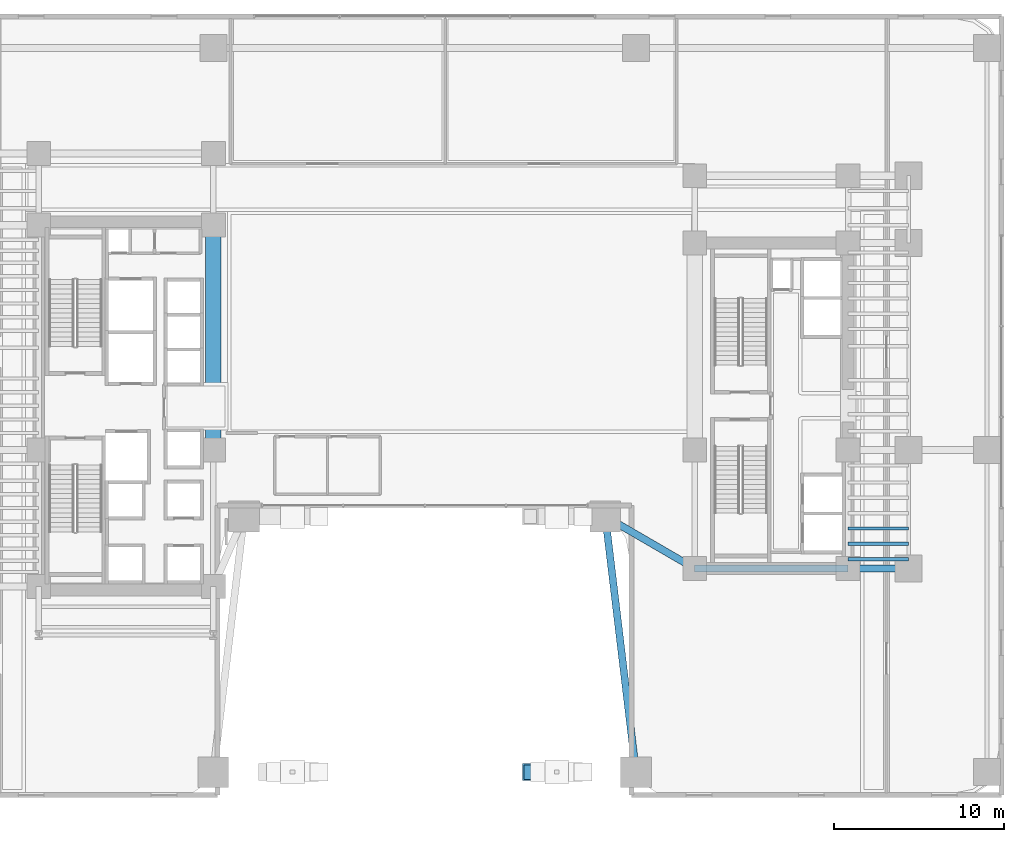
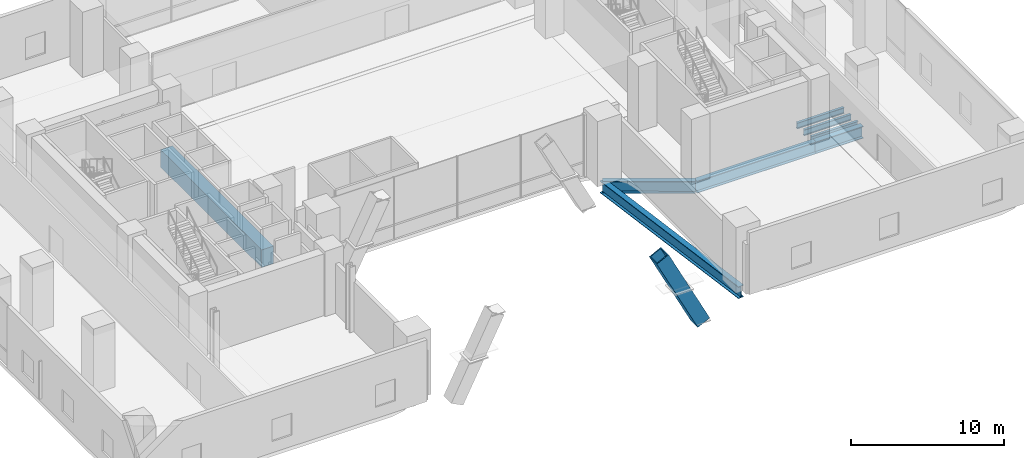
# One storey, part 7 of 39: 8 beams, 1 member.
"""IFC4 building model written with IfcOpenShell, lengths in metres."""

from ifc_helpers import new_model, si_unit, direction, frame, origin, origin_2d, place, context, subcontext, project, spatial, rectangle, hollow_rectangle, i_section, extrude, source, transform, mapped, material, material_profile, profile_set, type_object, element, save


model = new_model("IFC4")

# Units and contexts
model_context = context("Model", 3, precision=1e-05, world=origin(), true_north=direction((0.0, 1.0)))
body_context = subcontext(model_context, "Body", "Model", "MODEL_VIEW")
ifc_project = project(units=[si_unit("LENGTHUNIT", "METRE"), si_unit("AREAUNIT", "SQUARE_METRE"), si_unit("VOLUMEUNIT", "CUBIC_METRE"), si_unit("PLANEANGLEUNIT", "RADIAN"), si_unit("MASSUNIT", "GRAM", prefix="KILO")], contexts=[model_context])

# Site, building, storey
site_placement = place(None, origin())
site = spatial("IfcSite", under=ifc_project, at=site_placement, CompositionType="ELEMENT")
building_placement = place(site_placement, origin())
building = spatial("IfcBuilding", under=site, at=building_placement, Name="Valdorenza Pilgrim Sanctuary Tower", CompositionType="ELEMENT")
storey_placement = place(building_placement, frame((0.0, 0.0, 10.39990234375)))
storey = spatial("IfcBuildingStorey", under=building, at=storey_placement, Name="L02", CompositionType="ELEMENT", Elevation=10.39990234375)

# Beams
ifc_material_1 = material(Name="Concrete C60/75", Category="concrete")
ifc_material_profile_1 = material_profile(ifc_material_1, rectangle(XDim=0.89990234375, YDim=1.39990234375, at=origin_2d()), Name="RC 1400x900")
ifc_profile_set_1 = profile_set([ifc_material_profile_1], Name="Concrete C60/75")
beam_type_1 = type_object("IfcBeamType", Name="STR-BM-LNT-1400", PredefinedType="LINTEL", material=ifc_profile_set_1)
shared_shape_1 = source(origin(), body_context, "Body", "SweptSolid", [
    extrude(rectangle(XDim=0.89990234375, YDim=1.39990234375, at=origin_2d()), origin(), (0.0, 0.0, 1.0), 13.2001953125),
])
beam_1_placement = place(storey_placement, frame((-12.39990234375, -2.60009765625, -0.739990234375), z_axis=(0.0, 1.0, 0.0), x_axis=(-1.0, 0.0, 0.0)))
element("IfcBeam", 1, at=beam_1_placement, inside=storey, type_object=beam_type_1, Name="L02 Core A Coupling Lintel Girder", PredefinedType="LINTEL", context=body_context, shape_type="MappedRepresentation", body=[
    mapped(shared_shape_1, transform((0.0, 0.0, 0.0), x_axis=(1.0, 0.0, 0.0), y_axis=(0.0, 1.0, 0.0), z_axis=(0.0, 0.0, 1.0), scale=1.0)),
])
ifc_material_2 = material(Name="Steel ASTM A992 Grade 50", Category="steel")
ifc_material_profile_2 = material_profile(ifc_material_2, i_section(OverallWidth=0.423095703125, OverallDepth=0.947998046875, WebThickness=0.02392578125, FlangeThickness=0.042724609375, at=origin_2d()), Name="W36X302")
ifc_profile_set_2 = profile_set([ifc_material_profile_2], Name="Steel ASTM A992 Grade 50")
beam_type_2 = type_object("IfcBeamType", Name="STR-BM-GRD-W36A", PredefinedType="BEAM", material=ifc_profile_set_2)
shared_shape_2 = source(origin(), body_context, "Body", "SweptSolid", [
    extrude(i_section(OverallWidth=0.423095703125, OverallDepth=0.947998046875, WebThickness=0.02392578125, FlangeThickness=0.042724609375, at=origin_2d()), origin(), (0.0, 0.0, 1.0), 9.0),
])
beam_2_placement = place(storey_placement, frame((15.85009765625, -9.550048828125, -0.75390625), z_axis=(1.0, 0.0, 0.0), x_axis=(0.0, 1.0, 0.0)))
element("IfcBeam", 2, at=beam_2_placement, inside=storey, type_object=beam_type_2, Name="L02 Floor Girder CB-XC-S1", PredefinedType="BEAM", context=body_context, shape_type="MappedRepresentation", body=[
    mapped(shared_shape_2, transform((0.0, 0.0, 0.0), x_axis=(1.0, 0.0, 0.0), y_axis=(0.0, 1.0, 0.0), z_axis=(0.0, 0.0, 1.0), scale=1.0)),
])
shared_shape_3 = source(origin(), body_context, "Body", "SweptSolid", [
    extrude(i_section(OverallWidth=0.423095703125, OverallDepth=0.947998046875, WebThickness=0.02392578125, FlangeThickness=0.042724609375, at=origin_2d()), origin(), (0.0, 0.0, 1.0), 3.5498046875),
])
beam_3_placement = place(storey_placement, frame((24.85009765625, -9.550048828125, -0.75390625), z_axis=(1.0, 0.0, 0.0), x_axis=(0.0, 1.0, 0.0)))
element("IfcBeam", 3, at=beam_3_placement, inside=storey, type_object=beam_type_2, Name="L02 Floor Girder WB-XE-S1", PredefinedType="BEAM", context=body_context, shape_type="MappedRepresentation", body=[
    mapped(shared_shape_3, transform((0.0, 0.0, 0.0), x_axis=(1.0, 0.0, 0.0), y_axis=(0.0, 1.0, 0.0), z_axis=(0.0, 0.0, 1.0), scale=1.0)),
])
ifc_material_profile_3 = material_profile(ifc_material_2, i_section(OverallWidth=0.193115234375, OverallDepth=0.466064453125, WebThickness=0.011474609375, FlangeThickness=0.01904296875, at=origin_2d()), Name="W18X65")
ifc_profile_set_3 = profile_set([ifc_material_profile_3], Name="Steel ASTM A992 Grade 50")
beam_type_3 = type_object("IfcBeamType", Name="STR-BM-JST-W18A", PredefinedType="JOIST", material=ifc_profile_set_3)
shared_shape_4 = source(origin(), body_context, "Body", "SweptSolid", [
    extrude(i_section(OverallWidth=0.193115234375, OverallDepth=0.466064453125, WebThickness=0.011474609375, FlangeThickness=0.01904296875, at=origin_2d()), origin(), (0.0, 0.0, 1.0), 3.5498046875),
])
for number, where, z_axis, x_axis, name in (
    (4, (24.85009765625, -9.0, -0.512939453125), (1.0, 0.0, 0.0), (0.0, 1.0, 0.0), "L02 Composite Floor Joist JST-WB-1"),
    (5, (24.85009765625, -8.10009765625, -0.512939453125), (1.0, 0.0, 0.0), (0.0, 1.0, 0.0), "L02 Composite Floor Joist JST-WB-2"),
    (6, (24.85009765625, -7.199951171875, -0.512939453125), (1.0, 0.0, 0.0), (0.0, 1.0, 0.0), "L02 Composite Floor Joist JST-WB-3"),
):
    element("IfcBeam", number, at=place(storey_placement, frame(where, z_axis=z_axis, x_axis=x_axis)), inside=storey, type_object=beam_type_3, Name=name, PredefinedType="JOIST", context=body_context, shape_type="MappedRepresentation", body=[
        mapped(shared_shape_4, transform((0.0, 0.0, 0.0), x_axis=(1.0, 0.0, 0.0), y_axis=(0.0, 1.0, 0.0), z_axis=(0.0, 0.0, 1.0), scale=1.0)),
    ])
shared_shape_5 = source(origin(), body_context, "Body", "SweptSolid", [
    extrude(i_section(OverallWidth=0.423095703125, OverallDepth=0.947998046875, WebThickness=0.02392578125, FlangeThickness=0.042724609375, at=origin_2d()), origin(), (0.0, 0.0, 1.0), 15.107666015625),
])
beam_4_placement = place(storey_placement, frame((12.39990234375, -21.5, -0.75390625), z_axis=(-0.119132476027, 0.992878367755, 0.0), x_axis=(-0.992878367755, -0.119132476027, 0.0)))
element("IfcBeam", 7, at=beam_4_placement, inside=storey, type_object=beam_type_2, Name="L02 Floor Girder POD-ARCH-E", PredefinedType="BEAM", context=body_context, shape_type="MappedRepresentation", body=[
    mapped(shared_shape_5, transform((0.0, 0.0, 0.0), x_axis=(1.0, 0.0, 0.0), y_axis=(0.0, 1.0, 0.0), z_axis=(0.0, 0.0, 1.0), scale=1.0)),
])
shared_shape_6 = source(origin(), body_context, "Body", "SweptSolid", [
    extrude(i_section(OverallWidth=0.423095703125, OverallDepth=0.947998046875, WebThickness=0.02392578125, FlangeThickness=0.042724609375, at=origin_2d()), origin(), (0.0, 0.0, 1.0), 6.07177734375),
])
beam_5_placement = place(storey_placement, frame((10.60009765625, -6.5, -0.75390625), z_axis=(0.864670076815, -0.50234018181, 0.0), x_axis=(0.50234018181, 0.864670076815, 0.0)))
element("IfcBeam", 8, at=beam_5_placement, inside=storey, type_object=beam_type_2, Name="L02 Floor Girder POD-ARCH-NE", PredefinedType="BEAM", context=body_context, shape_type="MappedRepresentation", body=[
    mapped(shared_shape_6, transform((0.0, 0.0, 0.0), x_axis=(1.0, 0.0, 0.0), y_axis=(0.0, 1.0, 0.0), z_axis=(0.0, 0.0, 1.0), scale=1.0)),
])

# Member
ifc_material_3 = material(Name="Steel ASTM A572 Grade 42", Category="steel")
ifc_material_profile_4 = material_profile(ifc_material_3, hollow_rectangle(XDim=1.0, YDim=1.0, WallThickness=0.080078125, at=origin_2d()), Name="BOX 1000x1000x80")
ifc_profile_set_4 = profile_set([ifc_material_profile_4], Name="Steel ASTM A572 Grade 42")
member_type = type_object("IfcMemberType", Name="STR-MB-ARCH-RIB", PredefinedType="CHORD", material=ifc_profile_set_4)
shared_shape_7 = source(origin(), body_context, "Body", "SweptSolid", [
    extrude(hollow_rectangle(XDim=1.0, YDim=1.0, WallThickness=0.080078125, at=origin_2d()), origin(), (0.0, 0.0, 1.0), 6.86474609375),
])
member_placement = place(storey_placement, frame((6.199951171875, -21.5, 4.300048828125), z_axis=(0.451589695297, 0.0, -0.892225726541), x_axis=(0.0, 1.0, 0.0)))
element("IfcMember", 9, at=member_placement, inside=storey, type_object=member_type, Name="Parabolic Portal Arch Rib SOUTH Seg 7", PredefinedType="CHORD", context=body_context, shape_type="MappedRepresentation", body=[
    mapped(shared_shape_7, transform((0.0, 0.0, 0.0), x_axis=(1.0, 0.0, 0.0), y_axis=(0.0, 1.0, 0.0), z_axis=(0.0, 0.0, 1.0), scale=1.0)),
])

save(model, "model.ifc")
